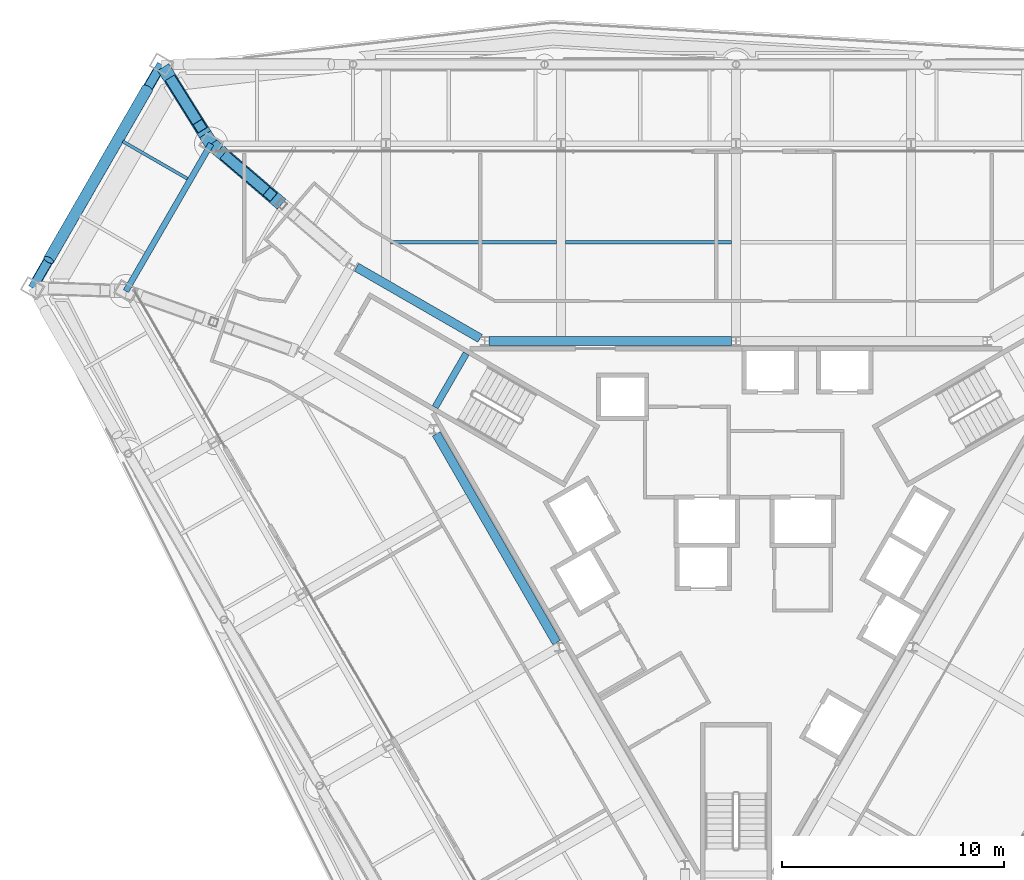
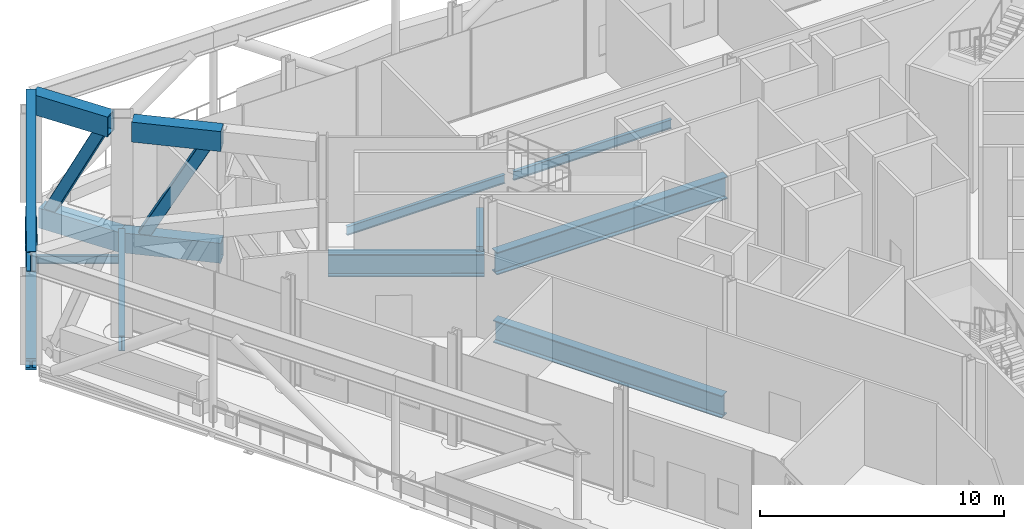
# One storey, part 11 of 26: 14 beams, 3 members.
"""IFC4 building model written with IfcOpenShell, lengths in metres."""

import ifcopenshell
import ifcopenshell.guid

model = None  # the IFC model being written
_history = None  # IfcOwnerHistory: only IFC2X3 demands one
_inside = {}  # id of a spatial element -> (the spatial element, [elements in it])
_under = {}  # id of a project, library or spatial element -> (it, [spatial elements below it])
_declared = {}  # id of a project -> (the project, [libraries it declares])
_typed = {}  # id of a type object -> (the type object, [elements of that type])
_made_of = {}  # id of a material, layer set ... -> (it, [elements and type objects made of it])


def new_model(schema):
    """Start an empty IFC model of exactly this schema.

    Asked for "IFC4X3", IfcOpenShell would pick the latest addendum, in which some entities
    have other attributes; the version numbers below select the first issue.
    IFC2X3 requires an IfcOwnerHistory on every rooted entity: one is made here for all.
    """
    global model, _history
    if schema == "IFC4X3":
        model = ifcopenshell.file(schema_version=(4, 3, 0, 0))
    else:
        model = ifcopenshell.file(schema=schema)
    _inside.clear()
    _under.clear()
    _declared.clear()
    _typed.clear()
    _made_of.clear()
    _history = None
    if model.schema == "IFC2X3":
        org = make("IfcOrganization", Name="unknown")
        user = make(
            "IfcPersonAndOrganization",
            ThePerson=make("IfcPerson", FamilyName="unknown"),
            TheOrganization=org,
        )
        app = make(
            "IfcApplication",
            ApplicationDeveloper=org,
            Version="unknown",
            ApplicationFullName="unknown",
            ApplicationIdentifier="unknown",
        )
        _history = make(
            "IfcOwnerHistory",
            OwningUser=user,
            OwningApplication=app,
            ChangeAction="ADDED",
            CreationDate=0,
        )
    return model


def make(cls, **values):
    """One entity of the class cls with the attributes given. An attribute that is None is left unset."""
    return model.create_entity(
        cls, **{name: value for name, value in values.items() if value is not None}
    )


def rooted(cls, **values):
    """An entity with a GlobalId (a new one), such as an element, a storey or a relation."""
    return make(cls, GlobalId=ifcopenshell.guid.new(), OwnerHistory=_history, **values)


def si_unit(unit_type, name, prefix=None):
    """IfcSIUnit, for example si_unit("LENGTHUNIT", "METRE", prefix="MILLI")."""
    return make("IfcSIUnit", UnitType=unit_type, Prefix=prefix, Name=name)


def assignment(units):
    """IfcUnitAssignment: the units of a project."""
    return None if units is None else make("IfcUnitAssignment", Units=units)


def point(xyz):
    """IfcCartesianPoint."""
    return None if xyz is None else make("IfcCartesianPoint", Coordinates=xyz)


def direction(xyz):
    """IfcDirection."""
    return None if xyz is None else make("IfcDirection", DirectionRatios=xyz)


def frame(location, z_axis=None, x_axis=None):
    """IfcAxis2Placement3D, a coordinate frame: its origin and axes. An axis left out is left unset."""
    return make(
        "IfcAxis2Placement3D",
        Location=point(location),
        Axis=direction(z_axis),
        RefDirection=direction(x_axis),
    )


def frame_2d(location, x_axis=None):
    """IfcAxis2Placement2D, a coordinate frame in the plane: its origin and x axis."""
    return make(
        "IfcAxis2Placement2D", Location=point(location), RefDirection=direction(x_axis)
    )


def origin():
    """The frame at (0, 0, 0) with its axes left unset."""
    return frame((0.0, 0.0, 0.0))


def origin_2d():
    """The frame at (0, 0) in the plane with its x axis left unset."""
    return frame_2d((0.0, 0.0))


def place(relative_to, where):
    """IfcLocalPlacement: puts the frame where relative to a parent placement (None: the world)."""
    return make(
        "IfcLocalPlacement", PlacementRelTo=relative_to, RelativePlacement=where
    )


def context(
    kind, dimensions, precision=None, world=None, true_north=None, identifier=None
):
    """IfcGeometricRepresentationContext, for example the 3D "Model" context."""
    return make(
        "IfcGeometricRepresentationContext",
        ContextIdentifier=identifier,
        ContextType=kind,
        CoordinateSpaceDimension=dimensions,
        Precision=precision,
        WorldCoordinateSystem=world,
        TrueNorth=true_north,
    )


def subcontext(parent, identifier, kind, view, scale=None):
    """IfcGeometricRepresentationSubContext, for example "Body" below "Model"."""
    return make(
        "IfcGeometricRepresentationSubContext",
        ContextIdentifier=identifier,
        ContextType=kind,
        ParentContext=parent,
        TargetScale=scale,
        TargetView=view,
    )


def project(units=None, contexts=None):
    """IfcProject with its units and contexts."""
    return rooted(
        "IfcProject",
        Name="project",
        RepresentationContexts=contexts,
        UnitsInContext=assignment(units),
    )


def spatial(cls, under=None, at=None, **own):
    """A site, building, storey or space (cls), placed at a placement, below another one or the project."""
    s = rooted(cls, ObjectPlacement=at, **own)
    if under is not None:
        _under.setdefault(under.id(), (under, []))[1].append(s)
    return s


def profile(cls, at=None, kind="AREA", **sizes):
    """A parametric profile (cls). Its sizes go by their IFC names, for example OverallWidth=200.0."""
    return make(cls, ProfileType=kind, Position=at, **sizes)


def rectangle(**sizes):
    """IfcRectangleProfileDef."""
    return profile("IfcRectangleProfileDef", **sizes)


def hollow_rectangle(**sizes):
    """IfcRectangleHollowProfileDef."""
    return profile("IfcRectangleHollowProfileDef", **sizes)


def hollow_circle(**sizes):
    """IfcCircleHollowProfileDef."""
    return profile("IfcCircleHollowProfileDef", **sizes)


def i_section(**sizes):
    """IfcIShapeProfileDef."""
    return profile("IfcIShapeProfileDef", **sizes)


def extrude(swept, where, along, depth):
    """IfcExtrudedAreaSolid: the profile swept, set in the frame where, extruded along a direction by depth."""
    return make(
        "IfcExtrudedAreaSolid",
        SweptArea=swept,
        Position=where,
        ExtrudedDirection=direction(along),
        Depth=depth,
    )


def shape(context_of_items, identifier, shape_type, items):
    """IfcShapeRepresentation: the items that make up one representation, for example the "Body"."""
    return make(
        "IfcShapeRepresentation",
        ContextOfItems=context_of_items,
        RepresentationIdentifier=identifier,
        RepresentationType=shape_type,
        Items=items,
    )


def material(Name=None, Category=None):
    """IfcMaterial."""
    return make("IfcMaterial", Name=Name, Category=Category)


def material_profile(
    of_material, cross_section, Name=None, Category=None, Priority=None
):
    """IfcMaterialProfile: a cross section and its material."""
    return make(
        "IfcMaterialProfile",
        Name=Name,
        Material=of_material,
        Profile=cross_section,
        Priority=Priority,
        Category=Category,
    )


def profile_set(profiles, Name=None, composite=None):
    """IfcMaterialProfileSet."""
    return make(
        "IfcMaterialProfileSet",
        Name=Name,
        MaterialProfiles=profiles,
        CompositeProfile=composite,
    )


def made_of(thing, what):
    """Note that an element or type object is made of a material, layer set ...; save() writes the relation."""
    if what is not None:
        _made_of.setdefault(what.id(), (what, []))[1].append(thing)
    return thing


def type_object(cls, material=None, **own):
    """A type object (cls), such as IfcWallType, which elements share."""
    return made_of(rooted(cls, **own), material)


def element(
    cls,
    number,
    at=None,
    inside=None,
    cuts=None,
    type_object=None,
    material=None,
    context=None,
    identifier="Body",
    shape_type=None,
    held_by="IfcProductDefinitionShape",
    body=None,
    shapes=None,
    **own,
):
    """One element of the class cls, such as IfcWall. Its Tag is "e" and its number.

    at: its placement. inside: the storey or other place that contains it. cuts: it is an
    opening in that element (IfcRelVoidsElement). A single representation is given by context,
    identifier, shape_type and body (its items); several are given by shapes. held_by: the class
    of the entity that holds the representations. save() writes the other relations.
    """
    e = rooted(cls, Tag="e%d" % number, ObjectPlacement=at, **own)
    if body is not None:
        shapes = [shape(context, identifier, shape_type, body)]
    if shapes is not None:
        e.Representation = make(held_by, Representations=shapes)
    if inside is not None:
        _inside.setdefault(inside.id(), (inside, []))[1].append(e)
    if cuts is not None:
        rooted(
            "IfcRelVoidsElement", RelatingBuildingElement=cuts, RelatedOpeningElement=e
        )
    if type_object is not None:
        _typed.setdefault(type_object.id(), (type_object, []))[1].append(e)
    return made_of(e, material)


def aggregate(whole, parts):
    """IfcRelAggregates: a whole, such as a stair, and the parts it consists of."""
    return rooted("IfcRelAggregates", RelatingObject=whole, RelatedObjects=parts)


def save(model, path):
    """Write the relations noted so far, then the file.

    IfcRelAggregates (storeys below a building ...), IfcRelContainedInSpatialStructure (elements
    in a storey), IfcRelDefinesByType, IfcRelAssociatesMaterial and IfcRelDeclares: one each for
    every whole, place, type object, material and project.
    """
    for whole, parts in _under.values():
        aggregate(whole, parts)
    for where, things in _inside.values():
        rooted(
            "IfcRelContainedInSpatialStructure",
            RelatedElements=things,
            RelatingStructure=where,
        )
    for kind, things in _typed.values():
        rooted("IfcRelDefinesByType", RelatedObjects=things, RelatingType=kind)
    for what, things in _made_of.values():
        rooted("IfcRelAssociatesMaterial", RelatedObjects=things, RelatingMaterial=what)
    for by, libraries in _declared.values():
        rooted("IfcRelDeclares", RelatingContext=by, RelatedDefinitions=libraries)
    model.write(path)


model = new_model("IFC4")

# Units and contexts
model_context = context("Model", 3, precision=1e-05, world=origin(), true_north=direction((0.0, 1.0)))
body_context = subcontext(model_context, "Body", "Model", "MODEL_VIEW")
ifc_project = project(units=[si_unit("LENGTHUNIT", "METRE"), si_unit("AREAUNIT", "SQUARE_METRE"), si_unit("VOLUMEUNIT", "CUBIC_METRE"), si_unit("PLANEANGLEUNIT", "RADIAN"), si_unit("MASSUNIT", "GRAM", prefix="KILO")], contexts=[model_context])

# Site, building, storey
site_placement = place(None, origin())
site = spatial("IfcSite", under=ifc_project, at=site_placement, CompositionType="ELEMENT")
building_placement = place(site_placement, origin())
building = spatial("IfcBuilding", under=site, at=building_placement, Name="Verrane Prism Tower", CompositionType="ELEMENT")
storey_placement = place(building_placement, frame((0.0, 0.0, 87.199951171875)))
storey = spatial("IfcBuildingStorey", under=building, at=storey_placement, Name="L20", CompositionType="ELEMENT", Elevation=87.199951171875)

# Beams
ifc_material_1 = material(Name="Steel A992", Category="steel")
ifc_material_profile_1 = material_profile(ifc_material_1, i_section(OverallWidth=0.45458984375, OverallDepth=0.56884765625, WebThickness=0.077880859375, FlangeThickness=0.124755859375, FilletRadius=0.01513671875, at=origin_2d()), Name="W14x730")
ifc_profile_set_1 = profile_set([ifc_material_profile_1], Name="Steel A992")
beam_type_1 = type_object("IfcBeamType", Name="Belt truss chord W14x730", PredefinedType="BEAM", material=ifc_profile_set_1)
beam_1_placement = place(storey_placement, frame((-26.07470703125, 21.36669921875, -0.445556640625), z_axis=(-0.499381576475, -0.866382156486, 0.0), x_axis=(0.866382156486, -0.499381576475, 0.0)))
element("IfcBeam", 1, at=beam_1_placement, inside=storey, type_object=beam_type_1, Name="Belt truss chord L20", PredefinedType="BEAM", context=body_context, shape_type="SweptSolid", body=[
    extrude(i_section(OverallWidth=0.45458984375, OverallDepth=0.56884765625, WebThickness=0.077880859375, FlangeThickness=0.124755859375, FilletRadius=0.01513671875, at=origin_2d()), origin(), (0.0, 0.0, 1.0), 10.934326171875),
])
ifc_material_2 = material(Name="Steel A992", Category="steel")
ifc_material_profile_2 = material_profile(ifc_material_2, i_section(OverallWidth=0.4013671875, OverallDepth=1.000732421875, WebThickness=0.01904296875, FlangeThickness=0.0361328125, FilletRadius=0.030029296875, at=origin_2d()), Name="W40x249")
ifc_profile_set_2 = profile_set([ifc_material_profile_2], Name="Steel A992")
beam_type_2 = type_object("IfcBeamType", Name="Belt truss chord W40x249", PredefinedType="BEAM", material=ifc_profile_set_2)
beam_2_placement = place(storey_placement, frame((-25.89990234375, 21.669921875, 4.939697265625), z_axis=(-0.499385129151, -0.866380108718, 0.0), x_axis=(0.866380108718, -0.499385129151, 0.0)))
element("IfcBeam", 2, at=beam_2_placement, inside=storey, type_object=beam_type_2, Name="Belt truss chord L20", PredefinedType="BEAM", context=body_context, shape_type="SweptSolid", body=[
    extrude(i_section(OverallWidth=0.4013671875, OverallDepth=1.000732421875, WebThickness=0.01904296875, FlangeThickness=0.0361328125, FilletRadius=0.030029296875, at=origin_2d()), origin(), (0.0, 0.0, 1.0), 11.634521484375),
])

# Member
ifc_material_3 = material(Name="Steel A500 Grade C", Category="steel")
ifc_material_profile_3 = material_profile(ifc_material_3, hollow_circle(Radius=0.25390625, WallThickness=0.0126953125, at=origin_2d()), Name="HSS20.000x0.500")
ifc_profile_set_3 = profile_set([ifc_material_profile_3], Name="Steel A500 Grade C")
member_type_1 = type_object("IfcMemberType", Name="Belt truss diagonal HSS20.000x0.500", PredefinedType="BRACE", material=ifc_profile_set_3)
member_1_placement = place(storey_placement, frame((-26.5302734375, 20.576416015625, -0.160888671875), z_axis=(-0.441486894012, -0.765940031167, 0.467359809004), x_axis=(0.866382141209, -0.499381602979, 0.0)))
element("IfcMember", 3, at=member_1_placement, inside=storey, type_object=member_type_1, Name="Belt truss diagonal L20", PredefinedType="BRACE", context=body_context, shape_type="SweptSolid", body=[
    extrude(hollow_circle(Radius=0.25390625, WallThickness=0.0126953125, at=origin_2d()), origin(), (0.0, 0.0, 1.0), 10.077880859375),
])

# Beams
ifc_material_4 = material(Name="Steel A992", Category="steel")
ifc_material_profile_4 = material_profile(ifc_material_4, i_section(OverallWidth=0.2666015625, OverallDepth=0.76708984375, WebThickness=0.014892578125, FlangeThickness=0.023681640625, FilletRadius=0.0166015625, at=origin_2d()), Name="W30x124")
ifc_profile_set_4 = profile_set([ifc_material_profile_4], Name="Steel A992")
beam_type_3 = type_object("IfcBeamType", Name="Chamfer spandrel beam W30x124", PredefinedType="SPANDREL", material=ifc_profile_set_4)
beam_3_placement = place(storey_placement, frame((-23.659912109375, 18.090087890625, -0.54345703125), z_axis=(-0.500625947267, -0.86566371122, 0.0), x_axis=(0.86566371122, -0.500625947267, 0.0)))
element("IfcBeam", 4, at=beam_3_placement, inside=storey, type_object=beam_type_3, Name="Chamfer spandrel beam L20", PredefinedType="SPANDREL", context=body_context, shape_type="SweptSolid", body=[
    extrude(i_section(OverallWidth=0.2666015625, OverallDepth=0.76708984375, WebThickness=0.014892578125, FlangeThickness=0.023681640625, FilletRadius=0.0166015625, at=origin_2d()), origin(), (0.0, 0.0, 1.0), 7.670654296875),
])
ifc_material_5 = material(Name="Steel A992", Category="steel")
ifc_material_profile_5 = material_profile(ifc_material_5, i_section(OverallWidth=0.140380859375, OverallDepth=0.40380859375, WebThickness=0.007080078125, FlangeThickness=0.01123046875, FilletRadius=0.01025390625, at=origin_2d()), Name="W16x31")
ifc_profile_set_5 = profile_set([ifc_material_profile_5], Name="Steel A992")
beam_type_4 = type_object("IfcBeamType", Name="Floor beam W16x31", PredefinedType="BEAM", material=ifc_profile_set_5)
beam_4_placement = place(storey_placement, frame((-24.7255859375, 16.513916015625, -0.36181640625), z_axis=(-0.866033346517, 0.499986242531, 0.0), x_axis=(-0.499986242531, -0.866033346517, 0.0)))
element("IfcBeam", 5, at=beam_4_placement, inside=storey, type_object=beam_type_4, Name="Floor beam L20", PredefinedType="BEAM", context=body_context, shape_type="SweptSolid", body=[
    extrude(i_section(OverallWidth=0.140380859375, OverallDepth=0.40380859375, WebThickness=0.007080078125, FlangeThickness=0.01123046875, FilletRadius=0.01025390625, at=origin_2d()), origin(), (0.0, 0.0, 1.0), 3.36474609375),
])
ifc_material_6 = material(Name="Steel A992", Category="steel")
ifc_material_profile_6 = material_profile(ifc_material_6, i_section(OverallWidth=0.15234375, OverallDepth=0.449462890625, WebThickness=0.007568359375, FlangeThickness=0.0107421875, FilletRadius=0.01025390625, at=origin_2d()), Name="W18x35")
ifc_profile_set_6 = profile_set([ifc_material_profile_6], Name="Steel A992")
beam_type_5 = type_object("IfcBeamType", Name="Floor beam W18x35", PredefinedType="BEAM", material=ifc_profile_set_6)
beam_5_placement = place(storey_placement, frame((-7.68798828125, 13.64501953125, -0.384765625), z_axis=(1.0, 0.0, 0.0), x_axis=(0.0, 1.0, 0.0)))
element("IfcBeam", 6, at=beam_5_placement, inside=storey, type_object=beam_type_5, Name="Floor beam L20", PredefinedType="BEAM", context=body_context, shape_type="SweptSolid", body=[
    extrude(i_section(OverallWidth=0.15234375, OverallDepth=0.449462890625, WebThickness=0.007568359375, FlangeThickness=0.0107421875, FilletRadius=0.01025390625, at=origin_2d()), origin(), (0.0, 0.0, 1.0), 7.486083984375),
])
beam_6_placement = place(storey_placement, frame((-15.577880859375, 13.64501953125, -0.384765625), z_axis=(1.0, 0.0, 0.0), x_axis=(0.0, 1.0, 0.0)))
element("IfcBeam", 7, at=beam_6_placement, inside=storey, type_object=beam_type_5, Name="Floor beam L20", PredefinedType="BEAM", context=body_context, shape_type="SweptSolid", body=[
    extrude(i_section(OverallWidth=0.15234375, OverallDepth=0.449462890625, WebThickness=0.007568359375, FlangeThickness=0.0107421875, FilletRadius=0.01025390625, at=origin_2d()), origin(), (0.0, 0.0, 1.0), 7.48583984375),
])
ifc_material_7 = material(Name="Steel A572 Grade 50", Category="steel")
ifc_material_profile_7 = material_profile(ifc_material_7, hollow_rectangle(XDim=0.60009765625, YDim=1.0, WallThickness=0.06005859375, at=origin_2d()), Name="BOX 1000x600x60")
ifc_profile_set_7 = profile_set([ifc_material_profile_7], Name="Steel A572 Grade 50")
beam_type_6 = type_object("IfcBeamType", Name="Outrigger truss chord BOX 1000x600x60", PredefinedType="BEAM", material=ifc_profile_set_7)
beam_7_placement = place(storey_placement, frame((-25.6298828125, 21.238037109375, -0.659912109375), z_axis=(0.53048343398, -0.847695302731, 0.0), x_axis=(0.847695302731, 0.53048343398, 0.0)))
element("IfcBeam", 8, at=beam_7_placement, inside=storey, type_object=beam_type_6, Name="Outrigger truss chord L20", PredefinedType="BEAM", context=body_context, shape_type="SweptSolid", body=[
    extrude(hollow_rectangle(XDim=0.60009765625, YDim=1.0, WallThickness=0.06005859375, at=origin_2d()), origin(), (0.0, 0.0, 1.0), 3.713623046875),
])
beam_8_placement = place(storey_placement, frame((-23.659912109375, 18.090087890625, -0.659912109375), z_axis=(0.759322440145, -0.650714554849, 0.0), x_axis=(0.650714554849, 0.759322440145, 0.0)))
element("IfcBeam", 9, at=beam_8_placement, inside=storey, type_object=beam_type_6, Name="Outrigger truss chord L20", PredefinedType="BEAM", context=body_context, shape_type="SweptSolid", body=[
    extrude(hollow_rectangle(XDim=0.60009765625, YDim=1.0, WallThickness=0.06005859375, at=origin_2d()), origin(), (0.0, 0.0, 1.0), 4.187744140625),
])
beam_9_placement = place(storey_placement, frame((-25.8203125, 21.542724609375, 4.93994140625), z_axis=(0.530436128043, -0.847724904711, 0.0), x_axis=(0.847724904711, 0.530436128043, 0.0)))
element("IfcBeam", 10, at=beam_9_placement, inside=storey, type_object=beam_type_6, Name="Outrigger truss chord L20", PredefinedType="BEAM", context=body_context, shape_type="SweptSolid", body=[
    extrude(hollow_rectangle(XDim=0.60009765625, YDim=1.0, WallThickness=0.06005859375, at=origin_2d()), origin(), (0.0, 0.0, 1.0), 3.5634765625),
])
beam_10_placement = place(storey_placement, frame((-23.3125, 17.7919921875, 4.93994140625), z_axis=(0.759372093631, -0.650656609445, 0.0), x_axis=(0.650656609445, 0.759372093631, 0.0)))
element("IfcBeam", 11, at=beam_10_placement, inside=storey, type_object=beam_type_6, Name="Outrigger truss chord L20", PredefinedType="BEAM", context=body_context, shape_type="SweptSolid", body=[
    extrude(hollow_rectangle(XDim=0.60009765625, YDim=1.0, WallThickness=0.06005859375, at=origin_2d()), origin(), (0.0, 0.0, 1.0), 3.72998046875),
])

# Members
ifc_material_8 = material(Name="Steel A500 Grade C", Category="steel")
ifc_material_profile_8 = material_profile(ifc_material_8, hollow_rectangle(XDim=0.508056640625, YDim=0.508056640625, WallThickness=0.01904296875, InnerFilletRadius=0.009521484375, OuterFilletRadius=0.028564453125, at=origin_2d()), Name="HSS20x20x3/4")
ifc_profile_set_8 = profile_set([ifc_material_profile_8], Name="Steel A500 Grade C")
member_type_2 = type_object("IfcMemberType", Name="Outrigger truss diagonal HSS20x20x3/4", PredefinedType="BRACE", material=ifc_profile_set_8)
member_2_placement = place(storey_placement, frame((-25.400390625, 20.871337890625, -0.219970703125), z_axis=(0.235534813834, -0.376382964019, 0.896024115673), x_axis=(0.847699092427, 0.53047737812, 0.0)))
element("IfcMember", 12, at=member_2_placement, inside=storey, type_object=member_type_2, Name="Outrigger truss diagonal L20", PredefinedType="BRACE", context=body_context, shape_type="SweptSolid", body=[
    extrude(hollow_rectangle(XDim=0.508056640625, YDim=0.508056640625, WallThickness=0.01904296875, InnerFilletRadius=0.009521484375, OuterFilletRadius=0.028564453125, at=origin_2d()), origin(), (0.0, 0.0, 1.0), 5.267578125),
])
member_3_placement = place(storey_placement, frame((-22.930419921875, 17.46484375, -0.219970703125), z_axis=(0.359693818957, -0.30821787982, 0.880694098517), x_axis=(0.65068048914, 0.759351632021, 0.0)))
element("IfcMember", 13, at=member_3_placement, inside=storey, type_object=member_type_2, Name="Outrigger truss diagonal L20", PredefinedType="BRACE", context=body_context, shape_type="SweptSolid", body=[
    extrude(hollow_rectangle(XDim=0.508056640625, YDim=0.508056640625, WallThickness=0.01904296875, InnerFilletRadius=0.009521484375, OuterFilletRadius=0.028564453125, at=origin_2d()), origin(), (0.0, 0.0, 1.0), 5.359375),
])

# Beams
ifc_material_9 = material(Name="Concrete C40/50", Category="concrete")
ifc_material_profile_9 = material_profile(ifc_material_9, rectangle(XDim=0.300048828125, YDim=0.25, at=origin_2d()), Name="RC 300x250")
ifc_profile_set_9 = profile_set([ifc_material_profile_9], Name="Concrete C40/50")
beam_type_7 = type_object("IfcBeamType", Name="Stair landing trimmer beam 300x250 concrete C40/50", PredefinedType="BEAM", material=ifc_profile_set_9)
beam_11_placement = place(storey_placement, frame((-13.560546875, 6.212646484375, 2.47509765625), z_axis=(0.500049511043, 0.865996816683, 0.0), x_axis=(-0.865996816683, 0.500049511043, 0.0)))
element("IfcBeam", 14, at=beam_11_placement, inside=storey, type_object=beam_type_7, Name="Stair 2 landing trimmer beam", PredefinedType="BEAM", context=body_context, shape_type="SweptSolid", body=[
    extrude(rectangle(XDim=0.300048828125, YDim=0.25, at=origin_2d()), origin(), (0.0, 0.0, 1.0), 2.800048828125),
])
ifc_material_10 = material(Name="Steel A992", Category="steel")
ifc_material_profile_10 = material_profile(ifc_material_10, i_section(OverallWidth=0.40380859375, OverallDepth=1.11767578125, WebThickness=0.026123046875, FlangeThickness=0.044921875, FilletRadius=0.02001953125, at=origin_2d()), Name="W44x335")
ifc_profile_set_10 = profile_set([ifc_material_profile_10], Name="Steel A992")
beam_type_8 = type_object("IfcBeamType", Name="Transfer girder W44x335", PredefinedType="BEAM", material=ifc_profile_set_10)
beam_12_placement = place(storey_placement, frame((-0.203125, 9.199951171875, -0.808837890625), z_axis=(-1.0, 0.0, 0.0), x_axis=(0.0, -1.0, 0.0)))
element("IfcBeam", 15, at=beam_12_placement, inside=storey, type_object=beam_type_8, Name="Transfer girder L20", PredefinedType="BEAM", context=body_context, shape_type="SweptSolid", body=[
    extrude(i_section(OverallWidth=0.40380859375, OverallDepth=1.11767578125, WebThickness=0.026123046875, FlangeThickness=0.044921875, FilletRadius=0.02001953125, at=origin_2d()), origin(), (0.0, 0.0, 1.0), 10.923583984375),
])
beam_13_placement = place(storey_placement, frame((-11.533203125, 9.317138671875, -0.808837890625), z_axis=(-0.866447229751, 0.499268663203, 0.0), x_axis=(-0.499268663203, -0.866447229751, 0.0)))
element("IfcBeam", 16, at=beam_13_placement, inside=storey, type_object=beam_type_8, Name="Transfer girder L20", PredefinedType="BEAM", context=body_context, shape_type="SweptSolid", body=[
    extrude(i_section(OverallWidth=0.40380859375, OverallDepth=1.11767578125, WebThickness=0.026123046875, FlangeThickness=0.044921875, FilletRadius=0.02001953125, at=origin_2d()), origin(), (0.0, 0.0, 1.0), 6.428466796875),
])
beam_14_placement = place(storey_placement, frame((-13.510009765625, 5.01171875, -0.808837890625), z_axis=(0.499371892062, -0.866387738498, 0.0), x_axis=(0.866387738498, 0.499371892062, 0.0)))
element("IfcBeam", 17, at=beam_14_placement, inside=storey, type_object=beam_type_8, Name="Transfer girder L20", PredefinedType="BEAM", context=body_context, shape_type="SweptSolid", body=[
    extrude(i_section(OverallWidth=0.40380859375, OverallDepth=1.11767578125, WebThickness=0.026123046875, FlangeThickness=0.044921875, FilletRadius=0.02001953125, at=origin_2d()), origin(), (0.0, 0.0, 1.0), 10.853515625),
])

save(model, "model.ifc")
